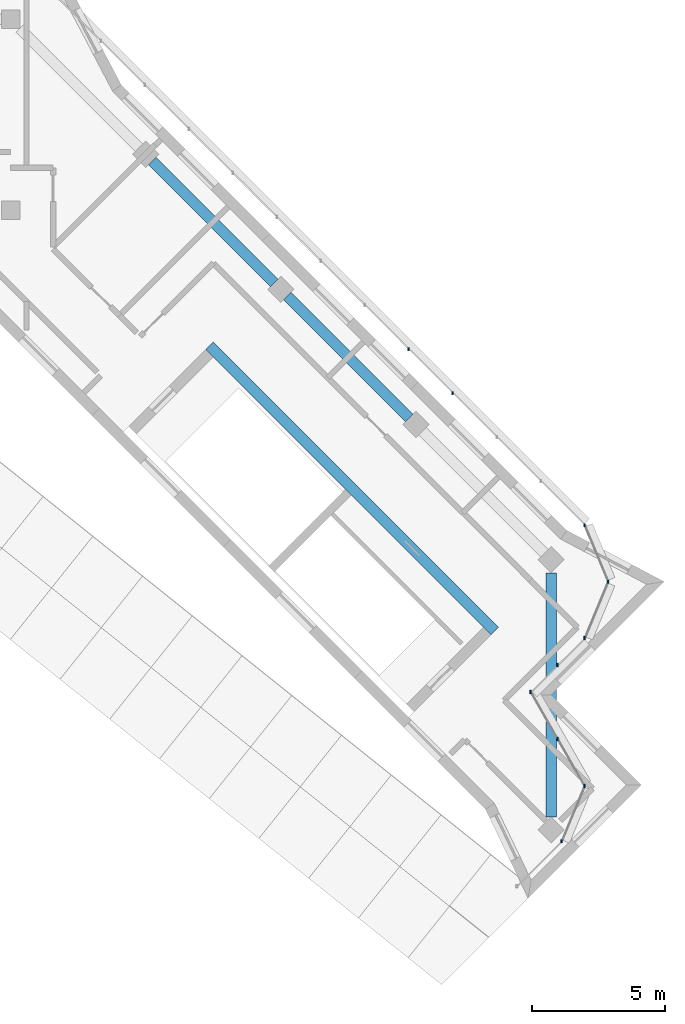
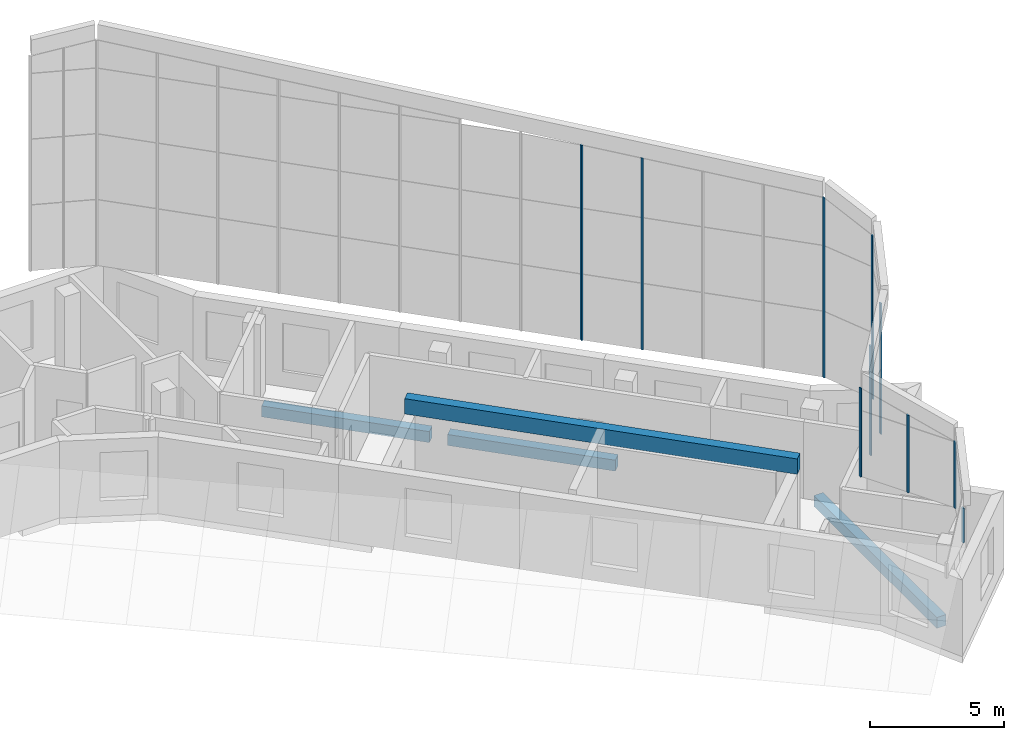
# One storey, part 2 of 9: 10 members, 4 beams, 6 elements without a shape of their own.
"""IFC4 building model written with IfcOpenShell, lengths in metres."""

from ifc_helpers import new_model, si_unit, direction, frame, origin, origin_2d, place, context, subcontext, project, spatial, rectangle, extrude, material, material_profile, profile_set, type_object, element, aggregate, save


model = new_model("IFC4")

# Units and contexts
model_context = context("Model", 3, precision=1e-05, world=origin(), true_north=direction((0.0, 1.0)))
body_context = subcontext(model_context, "Body", "Model", "MODEL_VIEW")
ifc_project = project(units=[si_unit("LENGTHUNIT", "METRE"), si_unit("AREAUNIT", "SQUARE_METRE"), si_unit("VOLUMEUNIT", "CUBIC_METRE"), si_unit("PLANEANGLEUNIT", "RADIAN"), si_unit("MASSUNIT", "GRAM", prefix="KILO")], contexts=[model_context])

# Site, building, storey
site_placement = place(None, origin())
site = spatial("IfcSite", under=ifc_project, at=site_placement, CompositionType="ELEMENT")
building_placement = place(site_placement, origin())
building = spatial("IfcBuilding", under=site, at=building_placement, Name="Windrow Commons", CompositionType="ELEMENT")
storey_placement = place(building_placement, frame((0.0, 0.0, 309.6)))
storey = spatial("IfcBuildingStorey", under=building, at=storey_placement, Name="L84", CompositionType="ELEMENT", Elevation=309.6)

# Curtain wall, members
ifc_material_1 = material(Name="Laminated glass in anodised aluminium frame", Category="aluminium")
curtain_wall_type = type_object("IfcCurtainWallType", Name="Curtain wall crown terrace screen", PredefinedType="USERDEFINED", material=ifc_material_1)
placement = place(storey_placement, origin())
curtain_wall_1 = element("IfcCurtainWall", 1, at=placement, inside=storey, type_object=curtain_wall_type, Name="Glazed crown screen L84", ObjectType="STICK", PredefinedType="USERDEFINED")
ifc_material_2 = material(Name="Anodised aluminium", Category="aluminium")
ifc_material_profile_1 = material_profile(ifc_material_2, rectangle(XDim=0.06, YDim=0.12, at=origin_2d()))
ifc_profile_set_1 = profile_set([ifc_material_profile_1], Name="Anodised aluminium")
member_type = type_object("IfcMemberType", Name="Crown screen mullion 60x120", PredefinedType="MULLION", material=ifc_profile_set_1)
member_1_placement = place(storey_placement, frame((94.1916, 59.5681, 3.5), z_axis=(0.0, 0.0, 1.0), x_axis=(1.0, 0.0, 0.0)))
member_1 = element("IfcMember", 2, at=member_1_placement, type_object=member_type, Name="Crown screen mullion L84", PredefinedType="MULLION", context=body_context, shape_type="SweptSolid", body=[
    extrude(rectangle(XDim=0.06, YDim=0.12, at=origin_2d()), origin(), (0.0, 0.0, 1.0), 8.9084),
])
member_2_placement = place(storey_placement, frame((95.8507, 57.909, 3.5), z_axis=(0.0, 0.0, 1.0), x_axis=(1.0, 0.0, 0.0)))
member_2 = element("IfcMember", 3, at=member_2_placement, type_object=member_type, Name="Crown screen mullion L84", PredefinedType="MULLION", context=body_context, shape_type="SweptSolid", body=[
    extrude(rectangle(XDim=0.06, YDim=0.12, at=origin_2d()), origin(), (0.0, 0.0, 1.0), 8.7336),
])
member_3_placement = place(storey_placement, frame((100.8281, 52.9317, 3.5), z_axis=(0.0, 0.0, 1.0), x_axis=(1.0, 0.0, 0.0)))
member_3 = element("IfcMember", 4, at=member_3_placement, type_object=member_type, Name="Crown screen mullion L84", PredefinedType="MULLION", context=body_context, shape_type="SweptSolid", body=[
    extrude(rectangle(XDim=0.06, YDim=0.12, at=origin_2d()), origin(), (0.0, 0.0, 1.0), 8.2093),
])
aggregate(curtain_wall_1, [member_1, member_2, member_3])

# Curtain wall, member
curtain_wall_2 = element("IfcCurtainWall", 5, at=placement, inside=storey, type_object=curtain_wall_type, Name="Glazed crown screen L84", ObjectType="STICK", PredefinedType="USERDEFINED")
member_4_placement = place(storey_placement, frame((101.7077, 50.808, 3.5), z_axis=(0.0, 0.0, 1.0), x_axis=(1.0, 0.0, 0.0)))
member_4 = element("IfcMember", 6, at=member_4_placement, type_object=member_type, Name="Crown screen mullion L84", PredefinedType="MULLION", context=body_context, shape_type="SweptSolid", body=[
    extrude(rectangle(XDim=0.06, YDim=0.12, at=origin_2d()), origin(), (0.0, 0.0, 1.0), 7.4614),
])
aggregate(curtain_wall_2, [member_4])

curtain_wall_3 = element("IfcCurtainWall", 7, at=placement, inside=storey, type_object=curtain_wall_type, Name="Glazed crown screen L84", ObjectType="STICK", PredefinedType="USERDEFINED")
member_5_placement = place(storey_placement, frame((100.8281, 48.6844, 3.5), z_axis=(0.0, 0.0, 1.0), x_axis=(1.0, 0.0, 0.0)))
member_5 = element("IfcMember", 8, at=member_5_placement, type_object=member_type, Name="Crown screen mullion L84", PredefinedType="MULLION", context=body_context, shape_type="SweptSolid", body=[
    extrude(rectangle(XDim=0.06, YDim=0.12, at=origin_2d()), origin(), (0.0, 0.0, 1.0), 5.9722),
])
aggregate(curtain_wall_3, [member_5])

# Curtain wall, members
curtain_wall_4 = element("IfcCurtainWall", 9, at=placement, inside=storey, type_object=curtain_wall_type, Name="Glazed crown screen L84", ObjectType="STICK", PredefinedType="USERDEFINED")
member_6_placement = place(storey_placement, frame((99.8096, 47.6659, 3.5), z_axis=(0.0, 0.0, 1.0), x_axis=(1.0, 0.0, 0.0)))
member_6 = element("IfcMember", 10, at=member_6_placement, type_object=member_type, Name="Crown screen mullion L84", PredefinedType="MULLION", context=body_context, shape_type="SweptSolid", body=[
    extrude(rectangle(XDim=0.06, YDim=0.12, at=origin_2d()), origin(), (0.0, 0.0, 1.0), 5.0066),
])
member_7_placement = place(storey_placement, frame((98.7911, 46.6474, 3.5), z_axis=(0.0, 0.0, 1.0), x_axis=(1.0, 0.0, 0.0)))
member_7 = element("IfcMember", 11, at=member_7_placement, type_object=member_type, Name="Crown screen mullion L84", PredefinedType="MULLION", context=body_context, shape_type="SweptSolid", body=[
    extrude(rectangle(XDim=0.06, YDim=0.12, at=origin_2d()), origin(), (0.0, 0.0, 1.0), 4.041),
])
aggregate(curtain_wall_4, [member_6, member_7])

curtain_wall_5 = element("IfcCurtainWall", 12, at=placement, inside=storey, type_object=curtain_wall_type, Name="Glazed crown screen L84", ObjectType="STICK", PredefinedType="USERDEFINED")
member_8_placement = place(storey_placement, frame((99.8054, 44.8767, 3.5), z_axis=(0.0, 0.0, 1.0), x_axis=(1.0, 0.0, 0.0)))
member_8 = element("IfcMember", 13, at=member_8_placement, type_object=member_type, Name="Crown screen mullion L84", PredefinedType="MULLION", context=body_context, shape_type="SweptSolid", body=[
    extrude(rectangle(XDim=0.06, YDim=0.12, at=origin_2d()), origin(), (0.0, 0.0, 1.0), 3.5358),
])
member_9_placement = place(storey_placement, frame((100.8198, 43.106, 3.5), z_axis=(0.0, 0.0, 1.0), x_axis=(1.0, 0.0, 0.0)))
member_9 = element("IfcMember", 14, at=member_9_placement, type_object=member_type, Name="Crown screen mullion L84", PredefinedType="MULLION", context=body_context, shape_type="SweptSolid", body=[
    extrude(rectangle(XDim=0.06, YDim=0.12, at=origin_2d()), origin(), (0.0, 0.0, 1.0), 3.0306),
])
aggregate(curtain_wall_5, [member_8, member_9])

# Curtain wall, member
curtain_wall_6 = element("IfcCurtainWall", 15, at=placement, inside=storey, type_object=curtain_wall_type, Name="Glazed crown screen L84", ObjectType="STICK", PredefinedType="USERDEFINED")
member_10_placement = place(storey_placement, frame((99.9583, 41.0264, 3.5), z_axis=(0.0, 0.0, 1.0), x_axis=(1.0, 0.0, 0.0)))
member_10 = element("IfcMember", 16, at=member_10_placement, type_object=member_type, Name="Crown screen mullion L84", PredefinedType="MULLION", context=body_context, shape_type="SweptSolid", body=[
    extrude(rectangle(XDim=0.06, YDim=0.12, at=origin_2d()), origin(), (0.0, 0.0, 1.0), 1.5723),
])
aggregate(curtain_wall_6, [member_10])

# Beams
ifc_material_3 = material(Name="Concrete C40/50", Category="concrete")
ifc_material_profile_2 = material_profile(ifc_material_3, rectangle(XDim=0.4, YDim=0.7, at=origin_2d()))
ifc_profile_set_2 = profile_set([ifc_material_profile_2], Name="Concrete C40/50")
beam_type_1 = type_object("IfcBeamType", Name="RC COUPLING BEAM 400x700 C40/50", PredefinedType="LINTEL", material=ifc_profile_set_2)
beam_1_placement = place(storey_placement, frame((86.6953, 59.6963, 3.15), z_axis=(0.7071100706, -0.7071034917, 0.0), x_axis=(0.7071034917, 0.7071100706, 0.0)))
element("IfcBeam", 17, at=beam_1_placement, inside=storey, type_object=beam_type_1, Name="Core B coupling beam outer-N", PredefinedType="LINTEL", context=body_context, shape_type="SweptSolid", body=[
    extrude(rectangle(XDim=0.4, YDim=0.7, at=origin_2d()), origin(), (0.0, 0.0, 1.0), 15.2),
])
ifc_material_4 = material(Name="Concrete C40/50", Category="concrete")
ifc_material_profile_3 = material_profile(ifc_material_4, rectangle(XDim=0.4, YDim=0.5, at=origin_2d()))
ifc_profile_set_3 = profile_set([ifc_material_profile_3], Name="Concrete C40/50")
beam_type_2 = type_object("IfcBeamType", Name="RC EDGE BEAM 400x500 C40/50", PredefinedType="SPANDREL", material=ifc_profile_set_3)
beam_2_placement = place(storey_placement, frame((84.5387, 66.6613, -0.55), z_axis=(0.7071067812, -0.7071067812, 0.0), x_axis=(0.7071067812, 0.7071067812, 0.0)))
element("IfcBeam", 18, at=beam_2_placement, inside=storey, type_object=beam_type_2, Name="Edge beam L84 003", PredefinedType="SPANDREL", context=body_context, shape_type="SweptSolid", body=[
    extrude(rectangle(XDim=0.4, YDim=0.5, at=origin_2d()), origin(), (0.0, 0.0, 1.0), 6.4999),
])
beam_3_placement = place(storey_placement, frame((89.6298, 61.5702, -0.55), z_axis=(0.7071067812, -0.7071067812, 0.0), x_axis=(0.7071067812, 0.7071067812, 0.0)))
element("IfcBeam", 19, at=beam_3_placement, inside=storey, type_object=beam_type_2, Name="Edge beam L84 004", PredefinedType="SPANDREL", context=body_context, shape_type="SweptSolid", body=[
    extrude(rectangle(XDim=0.4, YDim=0.5, at=origin_2d()), origin(), (0.0, 0.0, 1.0), 6.5),
])
beam_4_placement = place(storey_placement, frame((99.5647, 51.1403, -0.55), z_axis=(0.0, -1.0, 0.0), x_axis=(1.0, 0.0, 0.0)))
element("IfcBeam", 20, at=beam_4_placement, inside=storey, type_object=beam_type_2, Name="Edge beam L84 006", PredefinedType="SPANDREL", context=body_context, shape_type="SweptSolid", body=[
    extrude(rectangle(XDim=0.4, YDim=0.5, at=origin_2d()), origin(), (0.0, 0.0, 1.0), 9.1923),
])

save(model, "model.ifc")
